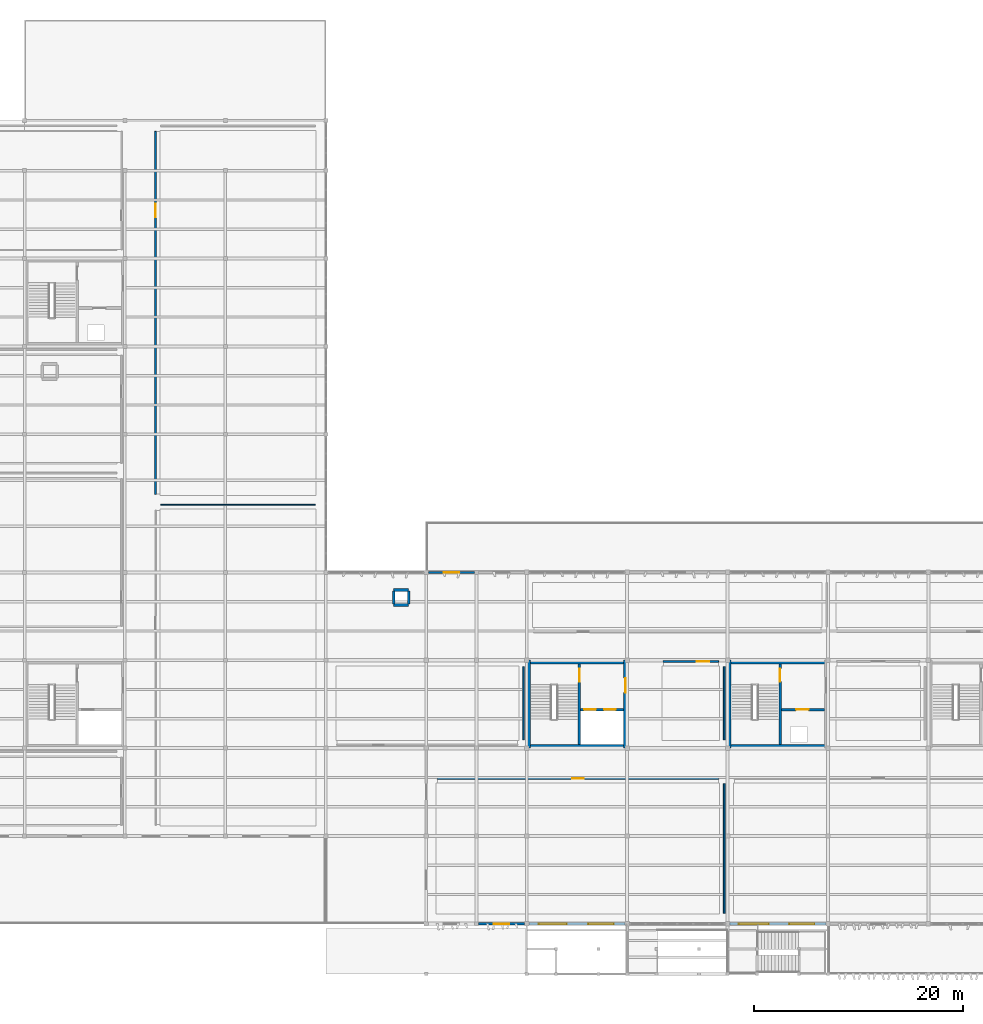
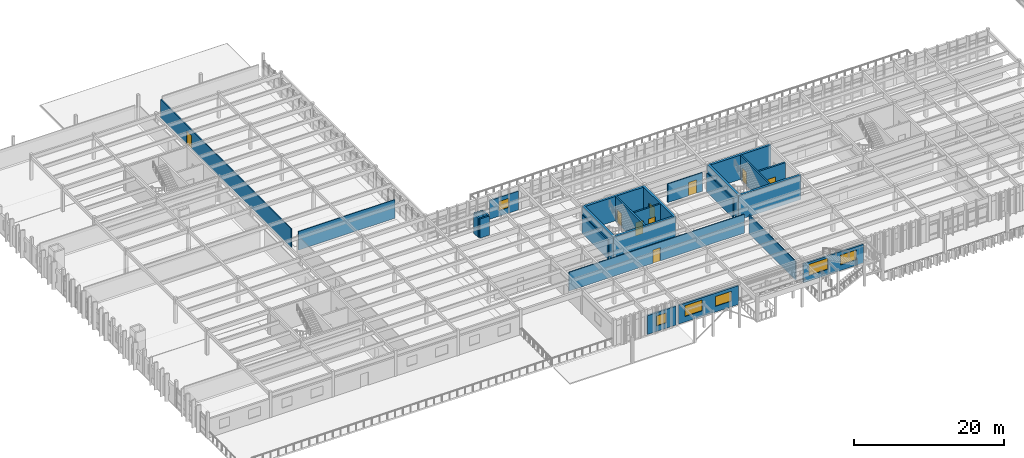
# One storey, part 42 of 61: 26 walls, 9 doors, 6 windows, 15 openings.
"""IFC4 building model written with IfcOpenShell, lengths in metres."""

from ifc_helpers import new_model, si_unit, direction, frame, frame_2d, origin, place, context, subcontext, project, spatial, rectangle, extrude, material, layer, layer_set, type_object, element, fill, save


model = new_model("IFC4")

# Units and contexts
model_context = context("Model", 3, precision=1e-05, world=origin(), true_north=direction((0.0, 1.0)))
body_context = subcontext(model_context, "Body", "Model", "MODEL_VIEW")
ifc_project = project(units=[si_unit("LENGTHUNIT", "METRE"), si_unit("AREAUNIT", "SQUARE_METRE"), si_unit("VOLUMEUNIT", "CUBIC_METRE"), si_unit("PLANEANGLEUNIT", "RADIAN"), si_unit("MASSUNIT", "GRAM", prefix="KILO")], contexts=[model_context])

# Site, building, storey
site_placement = place(None, origin())
site = spatial("IfcSite", under=ifc_project, at=site_placement, CompositionType="ELEMENT")
building_placement = place(site_placement, origin())
building = spatial("IfcBuilding", under=site, at=building_placement, Name="Kolvemor Railside Polytechnic", CompositionType="ELEMENT")
storey_placement = place(building_placement, frame((0.0, 0.0, 10.199951171875)))
storey = spatial("IfcBuildingStorey", under=building, at=storey_placement, Name="L02", CompositionType="ELEMENT", Elevation=10.199951171875)

# Walls
ifc_material_1 = material(Name="Concrete C40/50", Category="concrete")
ifc_layer_1 = layer(ifc_material_1, 0.35009765625, Name="WL-CORE-350")
ifc_layer_set_1 = layer_set([ifc_layer_1], Name="Concrete C40/50")
wall_type_1 = type_object("IfcWallType", Name="WL-CORE-350", PredefinedType="SHEAR", material=ifc_layer_set_1)
for number, where, z_axis, x_axis, name in (
    (1, (67.199951171875, 29.824951171875, 0.0), (0.0, 0.0, 1.0), (1.0, 0.0, 0.0), "CORE-1 North Core Wall L02"),
    (2, (67.199951171875, 21.77490234375, 0.0), (0.0, 0.0, 1.0), (1.0, 0.0, 0.0), "CORE-1 South Core Wall L02"),
):
    element("IfcWall", number, at=place(storey_placement, frame(where, z_axis=z_axis, x_axis=x_axis)), inside=storey, type_object=wall_type_1, Name=name, PredefinedType="SHEAR", context=body_context, shape_type="SweptSolid", body=[
        extrude(rectangle(XDim=9.60009765625, YDim=0.35009765625, at=frame_2d((4.800048828125, 0.0))), origin(), (0.0, 0.0, 1.0), 3.949951171875),
    ])
wall_1_placement = place(storey_placement, frame((67.375, 21.60009765625, 0.0), z_axis=(0.0, 0.0, 1.0), x_axis=(0.0, 1.0, 0.0)))
element("IfcWall", 3, at=wall_1_placement, inside=storey, type_object=wall_type_1, Name="CORE-1 West Core Wall L02", PredefinedType="SHEAR", context=body_context, shape_type="SweptSolid", body=[
    extrude(rectangle(XDim=8.39990234375, YDim=0.35009765625, at=frame_2d((4.199951171875, 0.0))), origin(), (0.0, 0.0, 1.0), 3.949951171875),
])

# Wall, opening, door
wall_2_placement = place(storey_placement, frame((76.625, 21.60009765625, 0.0), z_axis=(0.0, 0.0, 1.0), x_axis=(0.0, 1.0, 0.0)))
wall_2 = element("IfcWall", 4, at=wall_2_placement, inside=storey, type_object=wall_type_1, Name="CORE-1 East Core Wall L02", PredefinedType="SHEAR", context=body_context, shape_type="SweptSolid", body=[
    extrude(rectangle(XDim=8.39990234375, YDim=0.35009765625, at=frame_2d((4.199951171875, 0.0))), origin(), (0.0, 0.0, 1.0), 3.949951171875),
])
opening_1_placement = place(wall_2_placement, frame((5.300048828125, 0.0, 0.0)))
opening_1 = element("IfcOpeningElement", 5, at=opening_1_placement, cuts=wall_2, Name="Opening D-LOB-1-L02", PredefinedType="OPENING", context=body_context, shape_type="SweptSolid", body=[
    extrude(rectangle(XDim=1.39990234375, YDim=2.14990234375, at=frame_2d((0.699951171875, 1.074951171875))), frame((0.0, 0.18505859375, 0.0), z_axis=(0.0, -1.0, 0.0), x_axis=(1.0, 0.0, 0.0)), (0.0, 0.0, 1.0), 0.3701171875),
])
ifc_material_2 = material(Name="Fire-rated hardwood and brushed stainless-steel door", Category="steel")
door_type_1 = type_object("IfcDoorType", Name="DR-FD60-140x215", OperationType="NOTDEFINED", PredefinedType="DOOR", material=ifc_material_2)
door_1_placement = place(opening_1_placement, origin())
door_1 = element("IfcDoor", 6, at=door_1_placement, inside=storey, type_object=door_type_1, Name="Core Lobby Fire Door CORE-1 L02", OperationType="SINGLE_SWING_RIGHT", OverallHeight=2.14990234375, OverallWidth=1.39990234375, PredefinedType="DOOR", context=body_context, shape_type="SweptSolid", body=[
    extrude(rectangle(XDim=1.39990234375, YDim=2.14990234375, at=frame_2d((0.699951171875, 1.074951171875))), frame((0.0, 0.02490234375, 0.0), z_axis=(0.0, -1.0, 0.0), x_axis=(1.0, 0.0, 0.0)), (0.0, 0.0, 1.0), 0.050048828125),
])
fill(opening_1, door_1)

# Walls
for number, where, z_axis, x_axis, name in (
    (7, (86.39990234375, 29.824951171875, 0.0), (0.0, 0.0, 1.0), (1.0, 0.0, 0.0), "CORE-3 North Core Wall L02"),
    (8, (86.39990234375, 21.77490234375, 0.0), (0.0, 0.0, 1.0), (1.0, 0.0, 0.0), "CORE-3 South Core Wall L02"),
):
    element("IfcWall", number, at=place(storey_placement, frame(where, z_axis=z_axis, x_axis=x_axis)), inside=storey, type_object=wall_type_1, Name=name, PredefinedType="SHEAR", context=body_context, shape_type="SweptSolid", body=[
        extrude(rectangle(XDim=9.60009765625, YDim=0.35009765625, at=frame_2d((4.800048828125, 0.0))), origin(), (0.0, 0.0, 1.0), 3.949951171875),
    ])
wall_3_placement = place(storey_placement, frame((86.574951171875, 21.60009765625, 0.0), z_axis=(0.0, 0.0, 1.0), x_axis=(0.0, 1.0, 0.0)))
element("IfcWall", 9, at=wall_3_placement, inside=storey, type_object=wall_type_1, Name="CORE-3 West Core Wall L02", PredefinedType="SHEAR", context=body_context, shape_type="SweptSolid", body=[
    extrude(rectangle(XDim=8.39990234375, YDim=0.35009765625, at=frame_2d((4.199951171875, 0.0))), origin(), (0.0, 0.0, 1.0), 3.949951171875),
])

# Wall, opening, window
ifc_material_3 = material(Name="Cross-laminated timber CLT E1", Category="wood")
ifc_layer_2 = layer(ifc_material_3, 0.2099609375, Name="WL-EXT-TM-210")
ifc_layer_set_2 = layer_set([ifc_layer_2], Name="Cross-laminated timber CLT E1")
wall_type_2 = type_object("IfcWallType", Name="WL-EXT-TM-210", PredefinedType="SOLIDWALL", material=ifc_layer_set_2)
wall_4_placement = place(storey_placement, frame((62.199951171875, 38.39990234375, 0.0), z_axis=(0.0, 0.0, 1.0), x_axis=(-1.0, 0.0, 0.0)))
wall_4 = element("IfcWall", 10, at=wall_4_placement, inside=storey, type_object=wall_type_2, Name="Exterior Wall L02-0148", PredefinedType="SOLIDWALL", context=body_context, shape_type="SweptSolid", body=[
    extrude(rectangle(XDim=4.39990234375, YDim=0.2099609375, at=frame_2d((2.199951171875, 0.0))), origin(), (0.0, 0.0, 1.0), 3.050048828125),
])
opening_2_placement = place(wall_4_placement, frame((1.449951171875, 0.0, 0.89990234375)))
opening_2 = element("IfcOpeningElement", 11, at=opening_2_placement, cuts=wall_4, Name="Opening WN-LAB4", PredefinedType="OPENING", context=body_context, shape_type="SweptSolid", body=[
    extrude(rectangle(XDim=1.5, YDim=1.5, at=frame_2d((0.75, 0.75))), frame((0.0, 0.114990234375, 0.0), z_axis=(0.0, -1.0, 0.0), x_axis=(1.0, 0.0, 0.0)), (0.0, 0.0, 1.0), 0.22998046875),
])
ifc_material_4 = material(Name="Hurricane-laminated thermally broken aluminium window", Category="aluminium")
window_type_1 = type_object("IfcWindowType", Name="WN-LAB-150x150", PartitioningType="SINGLE_PANEL", PredefinedType="WINDOW", material=ifc_material_4)
window_1_placement = place(opening_2_placement, origin())
window_1 = element("IfcWindow", 12, at=window_1_placement, inside=storey, type_object=window_type_1, Name="Window L02-0161", OverallHeight=1.5, OverallWidth=1.5, PartitioningType="SINGLE_PANEL", PredefinedType="WINDOW", context=body_context, shape_type="SweptSolid", body=[
    extrude(rectangle(XDim=1.5, YDim=1.5, at=frame_2d((0.75, 0.75))), frame((0.0, 0.030029296875, 0.0), z_axis=(0.0, -1.0, 0.0), x_axis=(1.0, 0.0, 0.0)), (0.0, 0.0, 1.0), 0.06005859375),
])
fill(opening_2, window_1)

ifc_material_5 = material(Name="Cross-laminated timber CLT E1", Category="wood")
ifc_layer_3 = layer(ifc_material_5, 0.2548828125, Name="WL-EXT-TM-255")
ifc_layer_set_3 = layer_set([ifc_layer_3], Name="Cross-laminated timber CLT E1")
wall_type_3 = type_object("IfcWallType", Name="WL-EXT-TM-255", PredefinedType="SOLIDWALL", material=ifc_layer_set_3)
wall_5_placement = place(storey_placement, frame((62.60009765625, 4.800048828125, 0.0), z_axis=(0.0, 0.0, 1.0), x_axis=(1.0, 0.0, 0.0)))
wall_5 = element("IfcWall", 13, at=wall_5_placement, inside=storey, type_object=wall_type_3, Name="Exterior Wall L02-0123", PredefinedType="SOLIDWALL", context=body_context, shape_type="SweptSolid", body=[
    extrude(rectangle(XDim=4.39990234375, YDim=0.2548828125, at=frame_2d((2.199951171875, 0.0))), origin(), (0.0, 0.0, 1.0), 3.050048828125),
])
opening_3_placement = place(wall_5_placement, frame((1.449951171875, 0.0, 0.89990234375)))
opening_3 = element("IfcOpeningElement", 14, at=opening_3_placement, cuts=wall_5, Name="Opening WN-STU4", PredefinedType="OPENING", context=body_context, shape_type="SweptSolid", body=[
    extrude(rectangle(XDim=1.5, YDim=1.60009765625, at=frame_2d((0.75, 0.800048828125))), frame((0.0, 0.137451171875, 0.0), z_axis=(0.0, -1.0, 0.0), x_axis=(1.0, 0.0, 0.0)), (0.0, 0.0, 1.0), 0.27490234375),
])
ifc_material_6 = material(Name="Hurricane-laminated thermally broken aluminium window", Category="aluminium")
window_type_2 = type_object("IfcWindowType", Name="WN-STU-150x160", PartitioningType="SINGLE_PANEL", PredefinedType="WINDOW", material=ifc_material_6)
window_2_placement = place(opening_3_placement, origin())
window_2 = element("IfcWindow", 15, at=window_2_placement, inside=storey, type_object=window_type_2, Name="Window L02-0131", OverallHeight=1.60009765625, OverallWidth=1.5, PartitioningType="SINGLE_PANEL", PredefinedType="WINDOW", context=body_context, shape_type="SweptSolid", body=[
    extrude(rectangle(XDim=1.5, YDim=1.60009765625, at=frame_2d((0.75, 0.800048828125))), frame((0.0, 0.030029296875, 0.0), z_axis=(0.0, -1.0, 0.0), x_axis=(1.0, 0.0, 0.0)), (0.0, 0.0, 1.0), 0.06005859375),
])
fill(opening_3, window_2)

# Wall, openings, windows
wall_6_placement = place(storey_placement, frame((67.39990234375, 4.800048828125, 0.0), z_axis=(0.0, 0.0, 1.0), x_axis=(1.0, 0.0, 0.0)))
wall_6 = element("IfcWall", 16, at=wall_6_placement, inside=storey, type_object=wall_type_3, Name="Exterior Wall L02-0124", PredefinedType="SOLIDWALL", context=body_context, shape_type="SweptSolid", body=[
    extrude(rectangle(XDim=9.2001953125, YDim=0.2548828125, at=frame_2d((4.60009765625, 0.0))), origin(), (0.0, 0.0, 1.0), 3.050048828125),
])
opening_4_placement = place(wall_6_placement, frame((0.97509765625, 0.0, 0.89990234375)))
opening_4 = element("IfcOpeningElement", 17, at=opening_4_placement, cuts=wall_6, Name="Opening WN-M14", PredefinedType="OPENING", context=body_context, shape_type="SweptSolid", body=[
    extrude(rectangle(XDim=2.64990234375, YDim=1.75, at=frame_2d((1.324951171875, 0.875))), frame((0.0, 0.137451171875, 0.0), z_axis=(0.0, -1.0, 0.0), x_axis=(1.0, 0.0, 0.0)), (0.0, 0.0, 1.0), 0.27490234375),
])
opening_5_placement = place(wall_6_placement, frame((5.699951171875, 0.0, 0.89990234375)))
opening_5 = element("IfcOpeningElement", 18, at=opening_5_placement, cuts=wall_6, Name="Opening WN-STU3", PredefinedType="OPENING", context=body_context, shape_type="SweptSolid", body=[
    extrude(rectangle(XDim=2.39990234375, YDim=1.60009765625, at=frame_2d((1.199951171875, 0.800048828125))), frame((0.0, 0.137451171875, 0.0), z_axis=(0.0, -1.0, 0.0), x_axis=(1.0, 0.0, 0.0)), (0.0, 0.0, 1.0), 0.27490234375),
])
ifc_material_7 = material(Name="Hurricane-laminated thermally broken aluminium window", Category="aluminium")
window_type_3 = type_object("IfcWindowType", Name="WN-MOD-265x175", PartitioningType="DOUBLE_PANEL_VERTICAL", PredefinedType="WINDOW", material=ifc_material_7)
window_3_placement = place(opening_4_placement, origin())
window_3 = element("IfcWindow", 19, at=window_3_placement, inside=storey, type_object=window_type_3, Name="Window L02-0132", OverallHeight=1.75, OverallWidth=2.64990234375, PartitioningType="SINGLE_PANEL", PredefinedType="WINDOW", context=body_context, shape_type="SweptSolid", body=[
    extrude(rectangle(XDim=2.64990234375, YDim=1.75, at=frame_2d((1.324951171875, 0.875))), frame((0.0, 0.030029296875, 0.0), z_axis=(0.0, -1.0, 0.0), x_axis=(1.0, 0.0, 0.0)), (0.0, 0.0, 1.0), 0.06005859375),
])
fill(opening_4, window_3)
ifc_material_8 = material(Name="Hurricane-laminated thermally broken aluminium window", Category="aluminium")
window_type_4 = type_object("IfcWindowType", Name="WN-STU-240x160", PartitioningType="DOUBLE_PANEL_VERTICAL", PredefinedType="WINDOW", material=ifc_material_8)
window_4_placement = place(opening_5_placement, origin())
window_4 = element("IfcWindow", 20, at=window_4_placement, inside=storey, type_object=window_type_4, Name="Window L02-0133", OverallHeight=1.60009765625, OverallWidth=2.39990234375, PartitioningType="SINGLE_PANEL", PredefinedType="WINDOW", context=body_context, shape_type="SweptSolid", body=[
    extrude(rectangle(XDim=2.39990234375, YDim=1.60009765625, at=frame_2d((1.199951171875, 0.800048828125))), frame((0.0, 0.030029296875, 0.0), z_axis=(0.0, -1.0, 0.0), x_axis=(1.0, 0.0, 0.0)), (0.0, 0.0, 1.0), 0.06005859375),
])
fill(opening_5, window_4)

wall_7_placement = place(storey_placement, frame((86.60009765625, 4.800048828125, 0.0), z_axis=(0.0, 0.0, 1.0), x_axis=(1.0, 0.0, 0.0)))
wall_7 = element("IfcWall", 21, at=wall_7_placement, inside=storey, type_object=wall_type_3, Name="Exterior Wall L02-0125", PredefinedType="SOLIDWALL", context=body_context, shape_type="SweptSolid", body=[
    extrude(rectangle(XDim=9.199951171875, YDim=0.2548828125, at=frame_2d((4.60009765625, 0.0))), origin(), (0.0, 0.0, 1.0), 3.050048828125),
])
opening_6_placement = place(wall_7_placement, frame((0.875, 0.0, 0.89990234375)))
opening_6 = element("IfcOpeningElement", 22, at=opening_6_placement, cuts=wall_7, Name="Opening WN-M16", PredefinedType="OPENING", context=body_context, shape_type="SweptSolid", body=[
    extrude(rectangle(XDim=2.85009765625, YDim=1.800048828125, at=frame_2d((1.425048828125, 0.89990234375))), frame((0.0, 0.137451171875, 0.0), z_axis=(0.0, -1.0, 0.0), x_axis=(1.0, 0.0, 0.0)), (0.0, 0.0, 1.0), 0.27490234375),
])
opening_7_placement = place(wall_7_placement, frame((5.699951171875, 0.0, 0.89990234375)))
opening_7 = element("IfcOpeningElement", 23, at=opening_7_placement, cuts=wall_7, Name="Opening WN-STU3", PredefinedType="OPENING", context=body_context, shape_type="SweptSolid", body=[
    extrude(rectangle(XDim=2.39990234375, YDim=1.60009765625, at=frame_2d((1.199951171875, 0.800048828125))), frame((0.0, 0.137451171875, 0.0), z_axis=(0.0, -1.0, 0.0), x_axis=(1.0, 0.0, 0.0)), (0.0, 0.0, 1.0), 0.27490234375),
])
ifc_material_9 = material(Name="Hurricane-laminated thermally broken aluminium window", Category="aluminium")
window_type_5 = type_object("IfcWindowType", Name="WN-MOD-285x180", PartitioningType="DOUBLE_PANEL_VERTICAL", PredefinedType="WINDOW", material=ifc_material_9)
window_5_placement = place(opening_6_placement, origin())
window_5 = element("IfcWindow", 24, at=window_5_placement, inside=storey, type_object=window_type_5, Name="Window L02-0134", OverallHeight=1.800048828125, OverallWidth=2.85009765625, PartitioningType="SINGLE_PANEL", PredefinedType="WINDOW", context=body_context, shape_type="SweptSolid", body=[
    extrude(rectangle(XDim=2.85009765625, YDim=1.800048828125, at=frame_2d((1.425048828125, 0.89990234375))), frame((0.0, 0.030029296875, 0.0), z_axis=(0.0, -1.0, 0.0), x_axis=(1.0, 0.0, 0.0)), (0.0, 0.0, 1.0), 0.06005859375),
])
fill(opening_6, window_5)
window_6_placement = place(opening_7_placement, origin())
window_6 = element("IfcWindow", 25, at=window_6_placement, inside=storey, type_object=window_type_4, Name="Window L02-0135", OverallHeight=1.60009765625, OverallWidth=2.39990234375, PartitioningType="SINGLE_PANEL", PredefinedType="WINDOW", context=body_context, shape_type="SweptSolid", body=[
    extrude(rectangle(XDim=2.39990234375, YDim=1.60009765625, at=frame_2d((1.199951171875, 0.800048828125))), frame((0.0, 0.030029296875, 0.0), z_axis=(0.0, -1.0, 0.0), x_axis=(1.0, 0.0, 0.0)), (0.0, 0.0, 1.0), 0.06005859375),
])
fill(opening_7, window_6)

# Walls
ifc_material_10 = material(Name="Demountable studio critique screen wall")
ifc_layer_4 = layer(ifc_material_10, 0.10009765625, Name="WL-MOV-100")
ifc_layer_set_4 = layer_set([ifc_layer_4], Name="Demountable studio critique screen wall")
wall_type_4 = type_object("IfcWallType", Name="WL-MOV-100", PredefinedType="MOVABLE", material=ifc_layer_set_4)
wall_8_placement = place(storey_placement, frame((32.199951171875, 44.8798828125, 0.0), z_axis=(0.0, 0.0, 1.0), x_axis=(1.0, 0.0, 0.0)))
element("IfcWall", 26, at=wall_8_placement, inside=storey, type_object=wall_type_4, Name="Demising Partition L02-0136", PredefinedType="MOVABLE", context=body_context, shape_type="SweptSolid", body=[
    extrude(rectangle(XDim=14.800048828125, YDim=0.10009765625, at=frame_2d((7.39990234375, 0.0))), origin(), (0.0, 0.0, 1.0), 3.030029296875),
])
ifc_material_11 = material(Name="Departmental partition")
ifc_layer_5 = layer(ifc_material_11, 0.1298828125, Name="WL-PART-130")
ifc_layer_set_5 = layer_set([ifc_layer_5], Name="Departmental partition")
wall_type_5 = type_object("IfcWallType", Name="WL-PART-130", PredefinedType="PARTITIONING", material=ifc_layer_set_5)
wall_9_placement = place(storey_placement, frame((66.8798828125, 22.39990234375, 0.0), z_axis=(0.0, 0.0, 1.0), x_axis=(0.0, 1.0, 0.0)))
element("IfcWall", 27, at=wall_9_placement, inside=storey, type_object=wall_type_5, Name="Demising Partition L02-0147", PredefinedType="PARTITIONING", context=body_context, shape_type="SweptSolid", body=[
    extrude(rectangle(XDim=7.0, YDim=0.1298828125, at=frame_2d((3.5, 0.0))), origin(), (0.0, 0.0, 1.0), 3.030029296875),
])

# Wall, opening, door
ifc_material_12 = material(Name="Acoustic studio partition")
ifc_layer_6 = layer(ifc_material_12, 0.14990234375, Name="WL-PART-150")
ifc_layer_set_6 = layer_set([ifc_layer_6], Name="Acoustic studio partition")
wall_type_6 = type_object("IfcWallType", Name="WL-PART-150", PredefinedType="PARTITIONING", material=ifc_layer_set_6)
wall_10_placement = place(storey_placement, frame((58.64990234375, 18.679931640625, 0.0), z_axis=(0.0, 0.0, 1.0), x_axis=(1.0, 0.0, 0.0)))
wall_10 = element("IfcWall", 28, at=wall_10_placement, inside=storey, type_object=wall_type_6, Name="Partition Wall L02-0141", PredefinedType="PARTITIONING", context=body_context, shape_type="SweptSolid", body=[
    extrude(rectangle(XDim=26.900146484375, YDim=0.14990234375, at=frame_2d((13.4501953125, 0.0))), origin(), (0.0, 0.0, 1.0), 3.030029296875),
])
opening_8_placement = place(wall_10_placement, frame((12.889892578125, 0.0, 0.0)))
opening_8 = element("IfcOpeningElement", 29, at=opening_8_placement, cuts=wall_10, Name="Opening D-02080", PredefinedType="OPENING", context=body_context, shape_type="SweptSolid", body=[
    extrude(rectangle(XDim=1.1201171875, YDim=2.14990234375, at=frame_2d((0.56005859375, 1.074951171875))), frame((0.0, 0.0849609375, 0.0), z_axis=(0.0, -1.0, 0.0), x_axis=(1.0, 0.0, 0.0)), (0.0, 0.0, 1.0), 0.169921875),
])
ifc_material_13 = material(Name="Solid hardwood acoustic door", Category="wood")
door_type_2 = type_object("IfcDoorType", Name="DR-STU-112x215", OperationType="NOTDEFINED", PredefinedType="DOOR", material=ifc_material_13)
door_2_placement = place(opening_8_placement, origin())
door_2 = element("IfcDoor", 30, at=door_2_placement, inside=storey, type_object=door_type_2, Name="Room Door D-02080 (Parametric Timber Fabrication Design Studio)", OperationType="SINGLE_SWING_LEFT", OverallHeight=2.14990234375, OverallWidth=1.1201171875, PredefinedType="DOOR", context=body_context, shape_type="SweptSolid", body=[
    extrude(rectangle(XDim=1.1201171875, YDim=2.14990234375, at=frame_2d((0.56005859375, 1.074951171875))), frame((0.0, 0.02490234375, 0.0), z_axis=(0.0, -1.0, 0.0), x_axis=(1.0, 0.0, 0.0)), (0.0, 0.0, 1.0), 0.050048828125),
])
fill(opening_8, door_2)

# Wall
wall_11_placement = place(storey_placement, frame((86.080078125, 5.800048828125, 0.0), z_axis=(0.0, 0.0, 1.0), x_axis=(0.0, 1.0, 0.0)))
element("IfcWall", 31, at=wall_11_placement, inside=storey, type_object=wall_type_6, Name="Demising Partition L02-0142", PredefinedType="PARTITIONING", context=body_context, shape_type="SweptSolid", body=[
    extrude(rectangle(XDim=12.39990234375, YDim=0.14990234375, at=frame_2d((6.199951171875, 0.0))), origin(), (0.0, 0.0, 1.0), 3.030029296875),
])

# Wall, opening, door
ifc_material_14 = material(Name="Fire-rated laboratory corridor partition")
ifc_layer_7 = layer(ifc_material_14, 0.1650390625, Name="WL-PART-165")
ifc_layer_set_7 = layer_set([ifc_layer_7], Name="Fire-rated laboratory corridor partition")
wall_type_7 = type_object("IfcWallType", Name="WL-PART-165", PredefinedType="PARTITIONING", material=ifc_layer_set_7)
wall_12_placement = place(storey_placement, frame((31.719970703125, 45.85009765625, 0.0), z_axis=(0.0, 0.0, 1.0), x_axis=(0.0, 1.0, 0.0)))
wall_12 = element("IfcWall", 32, at=wall_12_placement, inside=storey, type_object=wall_type_7, Name="Partition Wall L02-0137", PredefinedType="PARTITIONING", context=body_context, shape_type="SweptSolid", body=[
    extrude(rectangle(XDim=34.699951171875, YDim=0.1650390625, at=frame_2d((17.35009765625, 0.0))), origin(), (0.0, 0.0, 1.0), 3.030029296875),
])
opening_9_placement = place(wall_12_placement, frame((26.47998046875, 0.0, 0.0)))
opening_9 = element("IfcOpeningElement", 33, at=opening_9_placement, cuts=wall_12, Name="Opening D-02078", PredefinedType="OPENING", context=body_context, shape_type="SweptSolid", body=[
    extrude(rectangle(XDim=1.300048828125, YDim=2.14990234375, at=frame_2d((0.64990234375, 1.074951171875))), frame((0.0, 0.092529296875, 0.0), z_axis=(0.0, -1.0, 0.0), x_axis=(1.0, 0.0, 0.0)), (0.0, 0.0, 1.0), 0.18505859375),
])
ifc_material_15 = material(Name="Fire-rated hardwood and brushed stainless-steel door", Category="steel")
door_type_3 = type_object("IfcDoorType", Name="DR-LAB-130x215", OperationType="NOTDEFINED", PredefinedType="DOOR", material=ifc_material_15)
door_3_placement = place(opening_9_placement, origin())
door_3 = element("IfcDoor", 34, at=door_3_placement, inside=storey, type_object=door_type_3, Name="Room Door D-02078 (GIS and Remote Sensing Laboratory)", OperationType="SINGLE_SWING_LEFT", OverallHeight=2.14990234375, OverallWidth=1.300048828125, PredefinedType="DOOR", context=body_context, shape_type="SweptSolid", body=[
    extrude(rectangle(XDim=1.300048828125, YDim=2.14990234375, at=frame_2d((0.64990234375, 1.074951171875))), frame((0.0, 0.02490234375, 0.0), z_axis=(0.0, -1.0, 0.0), x_axis=(1.0, 0.0, 0.0)), (0.0, 0.0, 1.0), 0.050048828125),
])
fill(opening_9, door_3)

wall_13_placement = place(storey_placement, frame((80.25, 29.8798828125, 0.0), z_axis=(0.0, 0.0, 1.0), x_axis=(1.0, 0.0, 0.0)))
wall_13 = element("IfcWall", 35, at=wall_13_placement, inside=storey, type_object=wall_type_7, Name="Partition Wall L02-0148", PredefinedType="PARTITIONING", context=body_context, shape_type="SweptSolid", body=[
    extrude(rectangle(XDim=5.300048828125, YDim=0.1650390625, at=frame_2d((2.64990234375, 0.0))), origin(), (0.0, 0.0, 1.0), 3.030029296875),
])
opening_10_placement = place(wall_13_placement, frame((3.18798828125, 0.0, 0.0)))
opening_10 = element("IfcOpeningElement", 36, at=opening_10_placement, cuts=wall_13, Name="Opening D-02084", PredefinedType="OPENING", context=body_context, shape_type="SweptSolid", body=[
    extrude(rectangle(XDim=1.219970703125, YDim=2.14990234375, at=frame_2d((0.60986328125, 1.074951171875))), frame((0.0, 0.092529296875, 0.0), z_axis=(0.0, -1.0, 0.0), x_axis=(1.0, 0.0, 0.0)), (0.0, 0.0, 1.0), 0.18505859375),
])
ifc_material_16 = material(Name="Fire-rated hardwood and brushed stainless-steel door", Category="steel")
door_type_4 = type_object("IfcDoorType", Name="DR-LAB-122x215", OperationType="NOTDEFINED", PredefinedType="DOOR", material=ifc_material_16)
door_4_placement = place(opening_10_placement, origin())
door_4 = element("IfcDoor", 37, at=door_4_placement, inside=storey, type_object=door_type_4, Name="Room Door D-02084 (Building Automation Systems Laboratory)", OperationType="SINGLE_SWING_LEFT", OverallHeight=2.14990234375, OverallWidth=1.219970703125, PredefinedType="DOOR", context=body_context, shape_type="SweptSolid", body=[
    extrude(rectangle(XDim=1.219970703125, YDim=2.14990234375, at=frame_2d((0.60986328125, 1.074951171875))), frame((0.0, 0.02490234375, 0.0), z_axis=(0.0, -1.0, 0.0), x_axis=(1.0, 0.0, 0.0)), (0.0, 0.0, 1.0), 0.050048828125),
])
fill(opening_10, door_4)

# Wall
wall_14_placement = place(storey_placement, frame((86.080078125, 22.39990234375, 0.0), z_axis=(0.0, 0.0, 1.0), x_axis=(0.0, 1.0, 0.0)))
element("IfcWall", 38, at=wall_14_placement, inside=storey, type_object=wall_type_7, Name="Demising Partition L02-0149", PredefinedType="PARTITIONING", context=body_context, shape_type="SweptSolid", body=[
    extrude(rectangle(XDim=7.0, YDim=0.1650390625, at=frame_2d((3.5, 0.0))), origin(), (0.0, 0.0, 1.0), 3.030029296875),
])

# Wall, opening, door
ifc_material_17 = material(Name="Concrete C40/50", Category="concrete")
ifc_layer_8 = layer(ifc_material_17, 0.25, Name="WL-SHFT-250")
ifc_layer_set_8 = layer_set([ifc_layer_8], Name="Concrete C40/50")
wall_type_8 = type_object("IfcWallType", Name="WL-SHFT-250", PredefinedType="SHEAR", material=ifc_layer_set_8)
wall_15_placement = place(storey_placement, frame((72.22509765625, 29.64990234375, 0.0), z_axis=(0.0, 0.0, 1.0), x_axis=(0.0, -1.0, 0.0)))
wall_15 = element("IfcWall", 39, at=wall_15_placement, inside=storey, type_object=wall_type_8, Name="CORE-1 Stair-Lobby Divider Wall L02", PredefinedType="SHEAR", context=body_context, shape_type="SweptSolid", body=[
    extrude(rectangle(XDim=7.699951171875, YDim=0.25, at=frame_2d((3.85009765625, 0.0))), origin(), (0.0, 0.0, 1.0), 3.949951171875),
])
opening_11_placement = place(wall_15_placement, frame((0.449951171875, 0.0, 0.0)))
opening_11 = element("IfcOpeningElement", 40, at=opening_11_placement, cuts=wall_15, Name="Opening D-ST-1-L02", PredefinedType="OPENING", context=body_context, shape_type="SweptSolid", body=[
    extrude(rectangle(XDim=1.25, YDim=2.14990234375, at=frame_2d((0.625, 1.074951171875))), frame((0.0, 0.135009765625, 0.0), z_axis=(0.0, -1.0, 0.0), x_axis=(1.0, 0.0, 0.0)), (0.0, 0.0, 1.0), 0.27001953125),
])
ifc_material_18 = material(Name="Fire-rated hardwood and brushed stainless-steel door", Category="steel")
door_type_5 = type_object("IfcDoorType", Name="DR-FD90-125x215", OperationType="NOTDEFINED", PredefinedType="DOOR", material=ifc_material_18)
door_5_placement = place(opening_11_placement, origin())
door_5 = element("IfcDoor", 41, at=door_5_placement, inside=storey, type_object=door_type_5, Name="Stair Fire Door ST-1 L02", OperationType="SINGLE_SWING_LEFT", OverallHeight=2.14990234375, OverallWidth=1.25, PredefinedType="DOOR", context=body_context, shape_type="SweptSolid", body=[
    extrude(rectangle(XDim=1.25, YDim=2.14990234375, at=frame_2d((0.625, 1.074951171875))), frame((0.0, 0.02490234375, 0.0), z_axis=(0.0, -1.0, 0.0), x_axis=(1.0, 0.0, 0.0)), (0.0, 0.0, 1.0), 0.050048828125),
])
fill(opening_11, door_5)

# Wall, openings, doors
wall_16_placement = place(storey_placement, frame((72.35009765625, 25.27490234375, 0.0), z_axis=(0.0, 0.0, 1.0), x_axis=(1.0, 0.0, 0.0)))
wall_16 = element("IfcWall", 42, at=wall_16_placement, inside=storey, type_object=wall_type_8, Name="CORE-1 Lift Shaft Front Wall L02", PredefinedType="SHEAR", context=body_context, shape_type="SweptSolid", body=[
    extrude(rectangle(XDim=4.099853515625, YDim=0.25, at=frame_2d((2.0498046875, 0.0))), origin(), (0.0, 0.0, 1.0), 3.949951171875),
])
opening_12_placement = place(wall_16_placement, frame((0.35009765625, 0.0, 0.0)))
opening_12 = element("IfcOpeningElement", 43, at=opening_12_placement, cuts=wall_16, Name="Opening LD-FL-1-L02", PredefinedType="OPENING", context=body_context, shape_type="SweptSolid", body=[
    extrude(rectangle(XDim=1.10009765625, YDim=2.14990234375, at=frame_2d((0.550048828125, 1.074951171875))), frame((0.0, 0.135009765625, 0.0), z_axis=(0.0, -1.0, 0.0), x_axis=(1.0, 0.0, 0.0)), (0.0, 0.0, 1.0), 0.27001953125),
])
opening_13_placement = place(wall_16_placement, frame((2.25, 0.0, 0.0)))
opening_13 = element("IfcOpeningElement", 44, at=opening_13_placement, cuts=wall_16, Name="Opening LD-PL-1-L02", PredefinedType="OPENING", context=body_context, shape_type="SweptSolid", body=[
    extrude(rectangle(XDim=1.10009765625, YDim=2.14990234375, at=frame_2d((0.550048828125, 1.074951171875))), frame((0.0, 0.135009765625, 0.0), z_axis=(0.0, -1.0, 0.0), x_axis=(1.0, 0.0, 0.0)), (0.0, 0.0, 1.0), 0.27001953125),
])
ifc_material_19 = material(Name="Fire-rated hardwood and brushed stainless-steel door", Category="steel")
door_type_6 = type_object("IfcDoorType", Name="DR-LIFT-110x215", OperationType="SLIDING_TO_LEFT", PredefinedType="DOOR", material=ifc_material_19)
door_6_placement = place(opening_12_placement, origin())
door_6 = element("IfcDoor", 45, at=door_6_placement, inside=storey, type_object=door_type_6, Name="Lift Landing Sliding Door FL-1 L02", OperationType="SLIDING_TO_LEFT", OverallHeight=2.14990234375, OverallWidth=1.10009765625, PredefinedType="DOOR", context=body_context, shape_type="SweptSolid", body=[
    extrude(rectangle(XDim=1.10009765625, YDim=2.14990234375, at=frame_2d((0.550048828125, 1.074951171875))), frame((0.0, 0.02490234375, 0.0), z_axis=(0.0, -1.0, 0.0), x_axis=(1.0, 0.0, 0.0)), (0.0, 0.0, 1.0), 0.050048828125),
])
fill(opening_12, door_6)
door_7_placement = place(opening_13_placement, origin())
door_7 = element("IfcDoor", 46, at=door_7_placement, inside=storey, type_object=door_type_6, Name="Lift Landing Sliding Door PL-1 L02", OperationType="SLIDING_TO_LEFT", OverallHeight=2.14990234375, OverallWidth=1.10009765625, PredefinedType="DOOR", context=body_context, shape_type="SweptSolid", body=[
    extrude(rectangle(XDim=1.10009765625, YDim=2.14990234375, at=frame_2d((0.550048828125, 1.074951171875))), frame((0.0, 0.02490234375, 0.0), z_axis=(0.0, -1.0, 0.0), x_axis=(1.0, 0.0, 0.0)), (0.0, 0.0, 1.0), 0.050048828125),
])
fill(opening_13, door_7)

# Wall, opening, door
wall_17_placement = place(storey_placement, frame((91.425048828125, 29.64990234375, 0.0), z_axis=(0.0, 0.0, 1.0), x_axis=(0.0, -1.0, 0.0)))
wall_17 = element("IfcWall", 47, at=wall_17_placement, inside=storey, type_object=wall_type_8, Name="CORE-3 Stair-Lobby Divider Wall L02", PredefinedType="SHEAR", context=body_context, shape_type="SweptSolid", body=[
    extrude(rectangle(XDim=7.699951171875, YDim=0.25, at=frame_2d((3.85009765625, 0.0))), origin(), (0.0, 0.0, 1.0), 3.949951171875),
])
opening_14_placement = place(wall_17_placement, frame((0.449951171875, 0.0, 0.0)))
opening_14 = element("IfcOpeningElement", 48, at=opening_14_placement, cuts=wall_17, Name="Opening D-ST-3-L02", PredefinedType="OPENING", context=body_context, shape_type="SweptSolid", body=[
    extrude(rectangle(XDim=1.25, YDim=2.14990234375, at=frame_2d((0.625, 1.074951171875))), frame((0.0, 0.135009765625, 0.0), z_axis=(0.0, -1.0, 0.0), x_axis=(1.0, 0.0, 0.0)), (0.0, 0.0, 1.0), 0.27001953125),
])
door_8_placement = place(opening_14_placement, origin())
door_8 = element("IfcDoor", 49, at=door_8_placement, inside=storey, type_object=door_type_5, Name="Stair Fire Door ST-3 L02", OperationType="SINGLE_SWING_LEFT", OverallHeight=2.14990234375, OverallWidth=1.25, PredefinedType="DOOR", context=body_context, shape_type="SweptSolid", body=[
    extrude(rectangle(XDim=1.25, YDim=2.14990234375, at=frame_2d((0.625, 1.074951171875))), frame((0.0, 0.02490234375, 0.0), z_axis=(0.0, -1.0, 0.0), x_axis=(1.0, 0.0, 0.0)), (0.0, 0.0, 1.0), 0.050048828125),
])
fill(opening_14, door_8)

wall_18_placement = place(storey_placement, frame((91.550048828125, 25.27490234375, 0.0), z_axis=(0.0, 0.0, 1.0), x_axis=(1.0, 0.0, 0.0)))
wall_18 = element("IfcWall", 50, at=wall_18_placement, inside=storey, type_object=wall_type_8, Name="CORE-3 Lift Shaft Front Wall L02", PredefinedType="SHEAR", context=body_context, shape_type="SweptSolid", body=[
    extrude(rectangle(XDim=4.099853515625, YDim=0.25, at=frame_2d((2.0498046875, 0.0))), origin(), (0.0, 0.0, 1.0), 3.949951171875),
])
opening_15_placement = place(wall_18_placement, frame((1.39990234375, 0.0, 0.0)))
opening_15 = element("IfcOpeningElement", 51, at=opening_15_placement, cuts=wall_18, Name="Opening D-RSR-3-L02", PredefinedType="OPENING", context=body_context, shape_type="SweptSolid", body=[
    extrude(rectangle(XDim=1.199951171875, YDim=2.14990234375, at=frame_2d((0.60009765625, 1.074951171875))), frame((0.0, 0.135009765625, 0.0), z_axis=(0.0, -1.0, 0.0), x_axis=(1.0, 0.0, 0.0)), (0.0, 0.0, 1.0), 0.27001953125),
])
ifc_material_20 = material(Name="Fire-rated hardwood and brushed stainless-steel door", Category="steel")
door_type_7 = type_object("IfcDoorType", Name="DR-FD60-120x215", OperationType="NOTDEFINED", PredefinedType="DOOR", material=ifc_material_20)
door_9_placement = place(opening_15_placement, origin())
door_9 = element("IfcDoor", 52, at=door_9_placement, inside=storey, type_object=door_type_7, Name="Riser Fire Door CORE-3 L02", OperationType="SINGLE_SWING_RIGHT", OverallHeight=2.14990234375, OverallWidth=1.199951171875, PredefinedType="DOOR", context=body_context, shape_type="SweptSolid", body=[
    extrude(rectangle(XDim=1.199951171875, YDim=2.14990234375, at=frame_2d((0.60009765625, 1.074951171875))), frame((0.0, 0.02490234375, 0.0), z_axis=(0.0, -1.0, 0.0), x_axis=(1.0, 0.0, 0.0)), (0.0, 0.0, 1.0), 0.050048828125),
])
fill(opening_15, door_9)

# Walls
ifc_material_21 = material(Name="Concrete C40/50", Category="concrete")
ifc_layer_9 = layer(ifc_material_21, 0.25, Name="WL-TIER-RC")
ifc_layer_set_9 = layer_set([ifc_layer_9], Name="Concrete C40/50")
wall_type_9 = type_object("IfcWallType", Name="WL-TIER-RC", PredefinedType="SHEAR", material=ifc_layer_set_9)
for number, where, z_axis, x_axis, name in (
    (53, (54.47998046875, 35.280029296875, 0.0), (0.0, 0.0, 1.0), (1.0, 0.0, 0.0), "MEP Riser Enclosure Wall L02-69S"),
    (54, (54.47998046875, 36.719970703125, 0.0), (0.0, 0.0, 1.0), (1.0, 0.0, 0.0), "MEP Riser Enclosure Wall L02-69N"),
):
    element("IfcWall", number, at=place(storey_placement, frame(where, z_axis=z_axis, x_axis=x_axis)), inside=storey, type_object=wall_type_9, Name=name, PredefinedType="SHEAR", context=body_context, shape_type="SweptSolid", body=[
        extrude(rectangle(XDim=1.43994140625, YDim=0.25, at=frame_2d((0.719970703125, 0.0))), origin(), (0.0, 0.0, 1.0), 3.10009765625),
    ])
for number, where, z_axis, x_axis, name in (
    (55, (54.47998046875, 35.39990234375, 0.0), (0.0, 0.0, 1.0), (0.0, 1.0, 0.0), "MEP Riser Enclosure Wall L02-69W"),
    (56, (55.919921875, 35.39990234375, 0.0), (0.0, 0.0, 1.0), (0.0, 1.0, 0.0), "MEP Riser Enclosure Wall L02-69E"),
):
    element("IfcWall", number, at=place(storey_placement, frame(where, z_axis=z_axis, x_axis=x_axis)), inside=storey, type_object=wall_type_9, Name=name, PredefinedType="SHEAR", context=body_context, shape_type="SweptSolid", body=[
        extrude(rectangle(XDim=1.2001953125, YDim=0.25, at=frame_2d((0.60009765625, 0.0))), origin(), (0.0, 0.0, 1.0), 3.10009765625),
    ])

save(model, "model.ifc")
